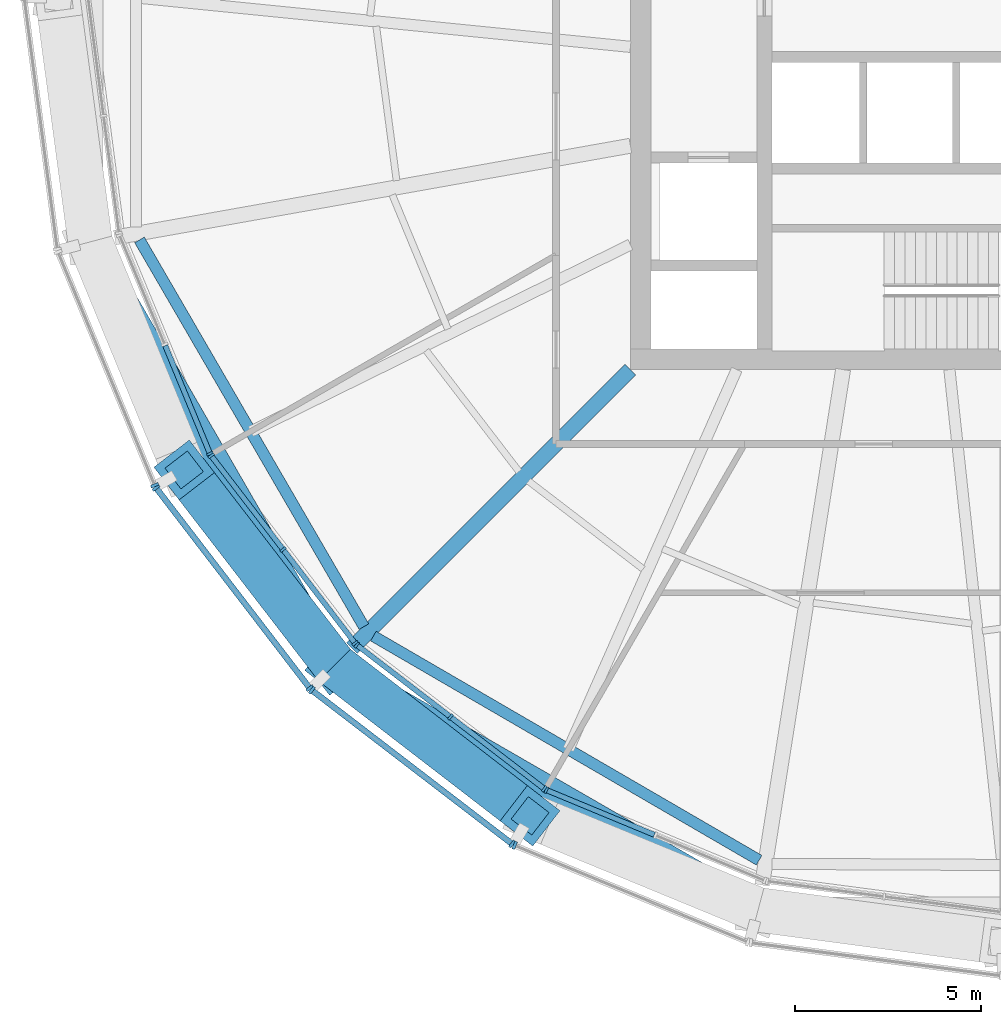
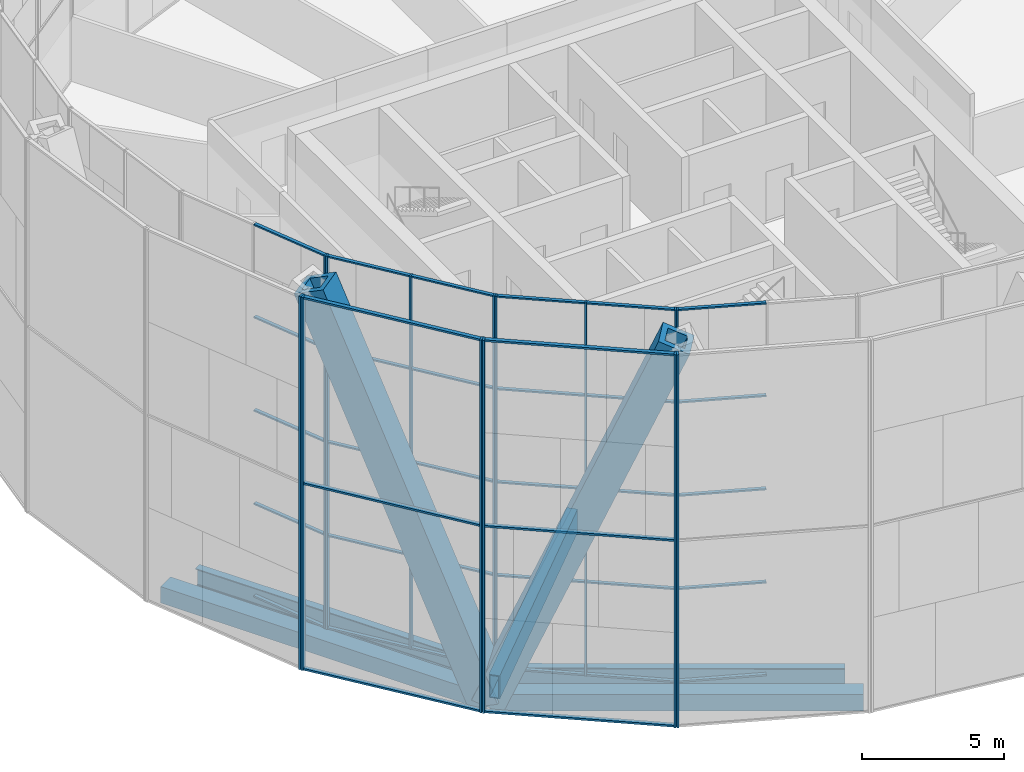
# One storey, part 1 of 30: 52 members, 5 beams, 8 elements without a shape of their own.
"""IFC4 building model written with IfcOpenShell, lengths in metres."""

from ifc_helpers import new_model, si_unit, direction, frame, origin, origin_2d, place, context, subcontext, project, spatial, rectangle, hollow_rectangle, i_section, extrude, material, material_profile, profile_set, type_object, element, aggregate, save


model = new_model("IFC4")

# Units and contexts
model_context = context("Model", 3, precision=1e-05, world=origin(), true_north=direction((0.0, 1.0)))
body_context = subcontext(model_context, "Body", "Model", "MODEL_VIEW")
ifc_project = project(units=[si_unit("LENGTHUNIT", "METRE"), si_unit("AREAUNIT", "SQUARE_METRE"), si_unit("VOLUMEUNIT", "CUBIC_METRE"), si_unit("PLANEANGLEUNIT", "RADIAN"), si_unit("MASSUNIT", "GRAM", prefix="KILO")], contexts=[model_context])

# Site, building, storey
site_placement = place(None, origin())
site = spatial("IfcSite", under=ifc_project, at=site_placement, CompositionType="ELEMENT")
building_placement = place(site_placement, origin())
building = spatial("IfcBuilding", under=site, at=building_placement, Name="Golbaran Civic Tower", CompositionType="ELEMENT")
storey_placement = place(building_placement, frame((0.0, 0.0, 102.0)))
storey = spatial("IfcBuildingStorey", under=building, at=storey_placement, Name="L24", CompositionType="ELEMENT", Elevation=102.0)

# Members
ifc_material_1 = material(Name="Steel S355", Category="steel")
ifc_material_profile_1 = material_profile(ifc_material_1, hollow_rectangle(XDim=1.199951171875, YDim=1.199951171875, WallThickness=0.219970703125, at=origin_2d()), Name="BOX 1200x1200x220")
ifc_profile_set_1 = profile_set([ifc_material_profile_1], Name="Steel S355")
member_type_1 = type_object("IfcMemberType", Name="DIAGRID DIAGONAL BOX 1200x1200x220", PredefinedType="BRACE", material=ifc_profile_set_1)
for number, where, z_axis, x_axis, name in (
    (1, (-17.947021484375, -17.947021484375, -0.7099609375), (0.303176942092, -0.233507991668, 0.923881897003), (0.61019489003, 0.792251346595, 0.0), "Diagonal D05-07R L24-L28"),
    (2, (-17.947021484375, -17.947021484375, -0.7099609375), (-0.233507991668, 0.303176942092, 0.923881897003), (-0.792251346595, -0.61019489003, 0.0), "Diagonal D05-07L L24-L28"),
):
    element("IfcMember", number, at=place(storey_placement, frame(where, z_axis=z_axis, x_axis=x_axis)), inside=storey, type_object=member_type_1, Name=name, PredefinedType="BRACE", context=body_context, shape_type="SweptSolid", body=[
        extrude(hollow_rectangle(XDim=1.199951171875, YDim=1.199951171875, WallThickness=0.219970703125, at=origin_2d()), origin(), (0.0, 0.0, 1.0), 17.318115234375),
    ])

# Beams
ifc_material_profile_2 = material_profile(ifc_material_1, hollow_rectangle(XDim=0.699951171875, YDim=0.699951171875, WallThickness=0.080078125, at=origin_2d()), Name="BOX 700x700x80")
ifc_profile_set_2 = profile_set([ifc_material_profile_2], Name="Steel S355")
beam_type_1 = type_object("IfcBeamType", Name="DIAGRID RING TIE BOX 700x700x80", PredefinedType="BEAM", material=ifc_profile_set_2)
for number, where, z_axis, x_axis, name in (
    (3, (-24.51611328125, -6.569091796875, -0.7099609375), (0.500002342169, -0.866024051528, 0.0), (0.866024051528, 0.500002342169, 0.0), "Ring tie 195.00 L24"),
    (4, (-17.947021484375, -17.947021484375, -0.7099609375), (0.866024051528, -0.500002342169, 0.0), (0.500002342169, 0.866024051528, 0.0), "Ring tie 225.00 L24"),
):
    element("IfcBeam", number, at=place(storey_placement, frame(where, z_axis=z_axis, x_axis=x_axis)), inside=storey, type_object=beam_type_1, Name=name, PredefinedType="BEAM", context=body_context, shape_type="SweptSolid", body=[
        extrude(hollow_rectangle(XDim=0.699951171875, YDim=0.699951171875, WallThickness=0.080078125, at=origin_2d()), origin(), (0.0, 0.0, 1.0), 13.13818359375),
    ])
ifc_material_profile_3 = material_profile(ifc_material_1, i_section(OverallWidth=0.300048828125, OverallDepth=0.800048828125, WebThickness=0.017578125, FlangeThickness=0.032958984375, FilletRadius=0.030029296875, at=origin_2d()), Name="HEB 800")
ifc_profile_set_3 = profile_set([ifc_material_profile_3], Name="Steel S355")
beam_type_2 = type_object("IfcBeamType", Name="EDGE BEAM HEB 800", PredefinedType="BEAM", material=ifc_profile_set_3)
beam_1_placement = place(storey_placement, frame((-23.191162109375, -6.51611328125, -0.60009765625), z_axis=(0.50190998271, -0.86491986291, 0.0), x_axis=(0.86491986291, 0.50190998271, 0.0)))
element("IfcBeam", 5, at=beam_1_placement, inside=storey, type_object=beam_type_2, Name="Edge beam 195.00 L24", PredefinedType="BEAM", context=body_context, shape_type="SweptSolid", body=[
    extrude(i_section(OverallWidth=0.300048828125, OverallDepth=0.800048828125, WebThickness=0.017578125, FlangeThickness=0.032958984375, FilletRadius=0.030029296875, at=origin_2d()), origin(), (0.0, 0.0, 1.0), 12.013671875),
])
beam_2_placement = place(storey_placement, frame((-16.906982421875, -17.16162109375, -0.60009765625), z_axis=(0.864655119007, -0.502365927561, 0.0), x_axis=(0.502365927561, 0.864655119007, 0.0)))
element("IfcBeam", 6, at=beam_2_placement, inside=storey, type_object=beam_type_2, Name="Edge beam 225.00 L24", PredefinedType="BEAM", context=body_context, shape_type="SweptSolid", body=[
    extrude(i_section(OverallWidth=0.300048828125, OverallDepth=0.800048828125, WebThickness=0.017578125, FlangeThickness=0.032958984375, FilletRadius=0.030029296875, at=origin_2d()), origin(), (0.0, 0.0, 1.0), 11.98779296875),
])

# Curtain wall, member
ifc_material_2 = material(Name="Aluminium and glass", Category="aluminium")
curtain_wall_type_1 = type_object("IfcCurtainWallType", Name="INNER SKIN CURTAIN WALL", PredefinedType="NOTDEFINED", material=ifc_material_2)
curtain_wall_1_placement = place(storey_placement, origin())
curtain_wall_1 = element("IfcCurtainWall", 7, at=curtain_wall_1_placement, inside=storey, type_object=curtain_wall_type_1, Name="Inner skin L24 facet 14 CW1", ObjectType="INNER SKIN", PredefinedType="USERDEFINED")
ifc_material_3 = material(Name="Aluminium", Category="aluminium")
ifc_material_profile_4 = material_profile(ifc_material_3, rectangle(XDim=0.179931640625, YDim=0.06494140625, at=origin_2d()), Name="INNER SKIN CURTAIN WALL MULLION")
ifc_profile_set_4 = profile_set([ifc_material_profile_4], Name="Aluminium")
member_type_2 = type_object("IfcMemberType", Name="INNER SKIN CURTAIN WALL MULLION", PredefinedType="MULLION", material=ifc_profile_set_4)
member_1_placement = place(storey_placement, frame((-21.297607421875, -12.259033203125, 0.0), z_axis=(0.0, 0.0, 1.0), x_axis=(0.923879532465, 0.382683432478, 0.0)))
member_1 = element("IfcMember", 8, at=member_1_placement, type_object=member_type_2, Name="CW1 mullion 3", PredefinedType="MULLION", context=body_context, shape_type="SweptSolid", body=[
    extrude(rectangle(XDim=0.179931640625, YDim=0.06494140625, at=origin_2d()), origin(), (0.0, 0.0, 1.0), 16.0),
])

# Curtain wall, members
curtain_wall_2_placement = place(storey_placement, origin())
curtain_wall_2 = element("IfcCurtainWall", 9, at=curtain_wall_2_placement, inside=storey, type_object=curtain_wall_type_1, Name="Inner skin L24 facet 15 CW1", ObjectType="INNER SKIN", PredefinedType="USERDEFINED")
member_2_placement = place(storey_placement, frame((-21.265380859375, -12.314697265625, 0.0), z_axis=(0.0, 0.0, 1.0), x_axis=(0.793353340302, 0.608761428995, 0.0)))
member_2 = element("IfcMember", 10, at=member_2_placement, type_object=member_type_2, Name="CW1 mullion 1", PredefinedType="MULLION", context=body_context, shape_type="SweptSolid", body=[
    extrude(rectangle(XDim=0.179931640625, YDim=0.06494140625, at=origin_2d()), origin(), (0.0, 0.0, 1.0), 16.0),
])
member_3_placement = place(storey_placement, frame((-19.332275390625, -14.834228515625, 0.0), z_axis=(0.0, 0.0, 1.0), x_axis=(0.793353340302, 0.608761428995, 0.0)))
member_3 = element("IfcMember", 11, at=member_3_placement, type_object=member_type_2, Name="CW1 mullion 2", PredefinedType="MULLION", context=body_context, shape_type="SweptSolid", body=[
    extrude(rectangle(XDim=0.179931640625, YDim=0.06494140625, at=origin_2d()), origin(), (0.0, 0.0, 1.0), 16.0),
])
member_4_placement = place(storey_placement, frame((-17.399169921875, -17.353515625, 0.0), z_axis=(0.0, 0.0, 1.0), x_axis=(0.793353340302, 0.608761428995, 0.0)))
member_4 = element("IfcMember", 12, at=member_4_placement, type_object=member_type_2, Name="CW1 mullion 3", PredefinedType="MULLION", context=body_context, shape_type="SweptSolid", body=[
    extrude(rectangle(XDim=0.179931640625, YDim=0.06494140625, at=origin_2d()), origin(), (0.0, 0.0, 1.0), 16.0),
])

curtain_wall_3_placement = place(storey_placement, origin())
curtain_wall_3 = element("IfcCurtainWall", 13, at=curtain_wall_3_placement, inside=storey, type_object=curtain_wall_type_1, Name="Inner skin L24 facet 16 CW1", ObjectType="INNER SKIN", PredefinedType="USERDEFINED")
member_5_placement = place(storey_placement, frame((-17.353515625, -17.399169921875, 0.0), z_axis=(0.0, 0.0, 1.0), x_axis=(0.608761428995, 0.793353340302, 0.0)))
member_5 = element("IfcMember", 14, at=member_5_placement, type_object=member_type_2, Name="CW1 mullion 1", PredefinedType="MULLION", context=body_context, shape_type="SweptSolid", body=[
    extrude(rectangle(XDim=0.179931640625, YDim=0.06494140625, at=origin_2d()), origin(), (0.0, 0.0, 1.0), 16.0),
])
member_6_placement = place(storey_placement, frame((-14.834228515625, -19.332275390625, 0.0), z_axis=(0.0, 0.0, 1.0), x_axis=(0.608761428995, 0.793353340302, 0.0)))
member_6 = element("IfcMember", 15, at=member_6_placement, type_object=member_type_2, Name="CW1 mullion 2", PredefinedType="MULLION", context=body_context, shape_type="SweptSolid", body=[
    extrude(rectangle(XDim=0.179931640625, YDim=0.06494140625, at=origin_2d()), origin(), (0.0, 0.0, 1.0), 16.0),
])
member_7_placement = place(storey_placement, frame((-12.314697265625, -21.265380859375, 0.0), z_axis=(0.0, 0.0, 1.0), x_axis=(0.608761428995, 0.793353340302, 0.0)))
member_7 = element("IfcMember", 16, at=member_7_placement, type_object=member_type_2, Name="CW1 mullion 3", PredefinedType="MULLION", context=body_context, shape_type="SweptSolid", body=[
    extrude(rectangle(XDim=0.179931640625, YDim=0.06494140625, at=origin_2d()), origin(), (0.0, 0.0, 1.0), 16.0),
])

# Curtain wall, member
curtain_wall_4_placement = place(storey_placement, origin())
curtain_wall_4 = element("IfcCurtainWall", 17, at=curtain_wall_4_placement, inside=storey, type_object=curtain_wall_type_1, Name="Inner skin L24 facet 17 CW1", ObjectType="INNER SKIN", PredefinedType="USERDEFINED")
member_8_placement = place(storey_placement, frame((-12.259033203125, -21.297607421875, 0.0), z_axis=(0.0, 0.0, 1.0), x_axis=(0.382683432478, 0.923879532465, 0.0)))
member_8 = element("IfcMember", 18, at=member_8_placement, type_object=member_type_2, Name="CW1 mullion 1", PredefinedType="MULLION", context=body_context, shape_type="SweptSolid", body=[
    extrude(rectangle(XDim=0.179931640625, YDim=0.06494140625, at=origin_2d()), origin(), (0.0, 0.0, 1.0), 16.0),
])

# Member
ifc_material_profile_5 = material_profile(ifc_material_3, rectangle(XDim=0.139892578125, YDim=0.06494140625, at=origin_2d()), Name="INNER SKIN CURTAIN WALL TRANSOM")
ifc_profile_set_5 = profile_set([ifc_material_profile_5], Name="Aluminium")
member_type_3 = type_object("IfcMemberType", Name="INNER SKIN CURTAIN WALL TRANSOM", PredefinedType="USERDEFINED", material=ifc_profile_set_5)
member_9_placement = place(storey_placement, frame((-22.50048828125, -9.355224609375, 0.032470703125), z_axis=(0.382703004748, -0.923871425122, 0.0), x_axis=(0.923871425122, 0.382703004748, 0.0)))
member_9 = element("IfcMember", 19, at=member_9_placement, type_object=member_type_3, Name="CW1 transom 2.1", ObjectType="TRANSOM", PredefinedType="USERDEFINED", context=body_context, shape_type="SweptSolid", body=[
    extrude(rectangle(XDim=0.139892578125, YDim=0.06494140625, at=origin_2d()), origin(), (0.0, 0.0, 1.0), 3.110595703125),
])

member_10_placement = place(storey_placement, frame((-22.50048828125, -9.355224609375, 4.0), z_axis=(0.382703004748, -0.923871425122, 0.0), x_axis=(0.923871425122, 0.382703004748, 0.0)))
member_10 = element("IfcMember", 20, at=member_10_placement, type_object=member_type_3, Name="CW1 transom 2.2", ObjectType="TRANSOM", PredefinedType="USERDEFINED", context=body_context, shape_type="SweptSolid", body=[
    extrude(rectangle(XDim=0.139892578125, YDim=0.06494140625, at=origin_2d()), origin(), (0.0, 0.0, 1.0), 3.110595703125),
])

member_11_placement = place(storey_placement, frame((-22.50048828125, -9.355224609375, 8.0), z_axis=(0.382703004748, -0.923871425122, 0.0), x_axis=(0.923871425122, 0.382703004748, 0.0)))
member_11 = element("IfcMember", 21, at=member_11_placement, type_object=member_type_3, Name="CW1 transom 2.3", ObjectType="TRANSOM", PredefinedType="USERDEFINED", context=body_context, shape_type="SweptSolid", body=[
    extrude(rectangle(XDim=0.139892578125, YDim=0.06494140625, at=origin_2d()), origin(), (0.0, 0.0, 1.0), 3.110595703125),
])

member_12_placement = place(storey_placement, frame((-22.50048828125, -9.355224609375, 12.0), z_axis=(0.382703004748, -0.923871425122, 0.0), x_axis=(0.923871425122, 0.382703004748, 0.0)))
member_12 = element("IfcMember", 22, at=member_12_placement, type_object=member_type_3, Name="CW1 transom 2.4", ObjectType="TRANSOM", PredefinedType="USERDEFINED", context=body_context, shape_type="SweptSolid", body=[
    extrude(rectangle(XDim=0.139892578125, YDim=0.06494140625, at=origin_2d()), origin(), (0.0, 0.0, 1.0), 3.110595703125),
])

member_13_placement = place(storey_placement, frame((-22.50048828125, -9.355224609375, 15.967529296875), z_axis=(0.382703004748, -0.923871425122, 0.0), x_axis=(0.923871425122, 0.382703004748, 0.0)))
member_13 = element("IfcMember", 23, at=member_13_placement, type_object=member_type_3, Name="CW1 transom 2.5", ObjectType="TRANSOM", PredefinedType="USERDEFINED", context=body_context, shape_type="SweptSolid", body=[
    extrude(rectangle(XDim=0.139892578125, YDim=0.06494140625, at=origin_2d()), origin(), (0.0, 0.0, 1.0), 3.110595703125),
])

aggregate(curtain_wall_1, [member_1, member_9, member_10, member_11, member_12, member_13])

member_14_placement = place(storey_placement, frame((-21.24560546875, -12.340576171875, 0.032470703125), z_axis=(0.608754453805, -0.793358692504, 0.0), x_axis=(0.793358692504, 0.608754453805, 0.0)))
member_14 = element("IfcMember", 24, at=member_14_placement, type_object=member_type_3, Name="CW1 transom 1.1", ObjectType="TRANSOM", PredefinedType="USERDEFINED", context=body_context, shape_type="SweptSolid", body=[
    extrude(rectangle(XDim=0.139892578125, YDim=0.06494140625, at=origin_2d()), origin(), (0.0, 0.0, 1.0), 3.110595703125),
])

member_15_placement = place(storey_placement, frame((-21.24560546875, -12.340576171875, 4.0), z_axis=(0.608754453805, -0.793358692504, 0.0), x_axis=(0.793358692504, 0.608754453805, 0.0)))
member_15 = element("IfcMember", 25, at=member_15_placement, type_object=member_type_3, Name="CW1 transom 1.2", ObjectType="TRANSOM", PredefinedType="USERDEFINED", context=body_context, shape_type="SweptSolid", body=[
    extrude(rectangle(XDim=0.139892578125, YDim=0.06494140625, at=origin_2d()), origin(), (0.0, 0.0, 1.0), 3.110595703125),
])

member_16_placement = place(storey_placement, frame((-21.24560546875, -12.340576171875, 8.0), z_axis=(0.608754453805, -0.793358692504, 0.0), x_axis=(0.793358692504, 0.608754453805, 0.0)))
member_16 = element("IfcMember", 26, at=member_16_placement, type_object=member_type_3, Name="CW1 transom 1.3", ObjectType="TRANSOM", PredefinedType="USERDEFINED", context=body_context, shape_type="SweptSolid", body=[
    extrude(rectangle(XDim=0.139892578125, YDim=0.06494140625, at=origin_2d()), origin(), (0.0, 0.0, 1.0), 3.110595703125),
])

member_17_placement = place(storey_placement, frame((-21.24560546875, -12.340576171875, 12.0), z_axis=(0.608754453805, -0.793358692504, 0.0), x_axis=(0.793358692504, 0.608754453805, 0.0)))
member_17 = element("IfcMember", 27, at=member_17_placement, type_object=member_type_3, Name="CW1 transom 1.4", ObjectType="TRANSOM", PredefinedType="USERDEFINED", context=body_context, shape_type="SweptSolid", body=[
    extrude(rectangle(XDim=0.139892578125, YDim=0.06494140625, at=origin_2d()), origin(), (0.0, 0.0, 1.0), 3.110595703125),
])

member_18_placement = place(storey_placement, frame((-21.24560546875, -12.340576171875, 15.967529296875), z_axis=(0.608754453805, -0.793358692504, 0.0), x_axis=(0.793358692504, 0.608754453805, 0.0)))
member_18 = element("IfcMember", 28, at=member_18_placement, type_object=member_type_3, Name="CW1 transom 1.5", ObjectType="TRANSOM", PredefinedType="USERDEFINED", context=body_context, shape_type="SweptSolid", body=[
    extrude(rectangle(XDim=0.139892578125, YDim=0.06494140625, at=origin_2d()), origin(), (0.0, 0.0, 1.0), 3.110595703125),
])

member_19_placement = place(storey_placement, frame((-19.3125, -14.85986328125, 0.032470703125), z_axis=(0.608754453805, -0.793358692504, 0.0), x_axis=(0.793358692504, 0.608754453805, 0.0)))
member_19 = element("IfcMember", 29, at=member_19_placement, type_object=member_type_3, Name="CW1 transom 2.1", ObjectType="TRANSOM", PredefinedType="USERDEFINED", context=body_context, shape_type="SweptSolid", body=[
    extrude(rectangle(XDim=0.139892578125, YDim=0.06494140625, at=origin_2d()), origin(), (0.0, 0.0, 1.0), 3.110595703125),
])

member_20_placement = place(storey_placement, frame((-19.3125, -14.85986328125, 4.0), z_axis=(0.608754453805, -0.793358692504, 0.0), x_axis=(0.793358692504, 0.608754453805, 0.0)))
member_20 = element("IfcMember", 30, at=member_20_placement, type_object=member_type_3, Name="CW1 transom 2.2", ObjectType="TRANSOM", PredefinedType="USERDEFINED", context=body_context, shape_type="SweptSolid", body=[
    extrude(rectangle(XDim=0.139892578125, YDim=0.06494140625, at=origin_2d()), origin(), (0.0, 0.0, 1.0), 3.110595703125),
])

member_21_placement = place(storey_placement, frame((-19.3125, -14.85986328125, 8.0), z_axis=(0.608754453805, -0.793358692504, 0.0), x_axis=(0.793358692504, 0.608754453805, 0.0)))
member_21 = element("IfcMember", 31, at=member_21_placement, type_object=member_type_3, Name="CW1 transom 2.3", ObjectType="TRANSOM", PredefinedType="USERDEFINED", context=body_context, shape_type="SweptSolid", body=[
    extrude(rectangle(XDim=0.139892578125, YDim=0.06494140625, at=origin_2d()), origin(), (0.0, 0.0, 1.0), 3.110595703125),
])

member_22_placement = place(storey_placement, frame((-19.3125, -14.85986328125, 12.0), z_axis=(0.608754453805, -0.793358692504, 0.0), x_axis=(0.793358692504, 0.608754453805, 0.0)))
member_22 = element("IfcMember", 32, at=member_22_placement, type_object=member_type_3, Name="CW1 transom 2.4", ObjectType="TRANSOM", PredefinedType="USERDEFINED", context=body_context, shape_type="SweptSolid", body=[
    extrude(rectangle(XDim=0.139892578125, YDim=0.06494140625, at=origin_2d()), origin(), (0.0, 0.0, 1.0), 3.110595703125),
])

member_23_placement = place(storey_placement, frame((-19.3125, -14.85986328125, 15.967529296875), z_axis=(0.608754453805, -0.793358692504, 0.0), x_axis=(0.793358692504, 0.608754453805, 0.0)))
member_23 = element("IfcMember", 33, at=member_23_placement, type_object=member_type_3, Name="CW1 transom 2.5", ObjectType="TRANSOM", PredefinedType="USERDEFINED", context=body_context, shape_type="SweptSolid", body=[
    extrude(rectangle(XDim=0.139892578125, YDim=0.06494140625, at=origin_2d()), origin(), (0.0, 0.0, 1.0), 3.110595703125),
])

aggregate(curtain_wall_2, [member_2, member_3, member_4, member_14, member_15, member_16, member_17, member_18, member_19, member_20, member_21, member_22, member_23])

member_24_placement = place(storey_placement, frame((-17.32763671875, -17.4189453125, 0.032470703125), z_axis=(0.793358692504, -0.608754453805, 0.0), x_axis=(0.608754453805, 0.793358692504, 0.0)))
member_24 = element("IfcMember", 34, at=member_24_placement, type_object=member_type_3, Name="CW1 transom 1.1", ObjectType="TRANSOM", PredefinedType="USERDEFINED", context=body_context, shape_type="SweptSolid", body=[
    extrude(rectangle(XDim=0.139892578125, YDim=0.06494140625, at=origin_2d()), origin(), (0.0, 0.0, 1.0), 3.110595703125),
])

member_25_placement = place(storey_placement, frame((-17.32763671875, -17.4189453125, 4.0), z_axis=(0.793358692504, -0.608754453805, 0.0), x_axis=(0.608754453805, 0.793358692504, 0.0)))
member_25 = element("IfcMember", 35, at=member_25_placement, type_object=member_type_3, Name="CW1 transom 1.2", ObjectType="TRANSOM", PredefinedType="USERDEFINED", context=body_context, shape_type="SweptSolid", body=[
    extrude(rectangle(XDim=0.139892578125, YDim=0.06494140625, at=origin_2d()), origin(), (0.0, 0.0, 1.0), 3.110595703125),
])

member_26_placement = place(storey_placement, frame((-17.32763671875, -17.4189453125, 8.0), z_axis=(0.793358692504, -0.608754453805, 0.0), x_axis=(0.608754453805, 0.793358692504, 0.0)))
member_26 = element("IfcMember", 36, at=member_26_placement, type_object=member_type_3, Name="CW1 transom 1.3", ObjectType="TRANSOM", PredefinedType="USERDEFINED", context=body_context, shape_type="SweptSolid", body=[
    extrude(rectangle(XDim=0.139892578125, YDim=0.06494140625, at=origin_2d()), origin(), (0.0, 0.0, 1.0), 3.110595703125),
])

member_27_placement = place(storey_placement, frame((-17.32763671875, -17.4189453125, 12.0), z_axis=(0.793358692504, -0.608754453805, 0.0), x_axis=(0.608754453805, 0.793358692504, 0.0)))
member_27 = element("IfcMember", 37, at=member_27_placement, type_object=member_type_3, Name="CW1 transom 1.4", ObjectType="TRANSOM", PredefinedType="USERDEFINED", context=body_context, shape_type="SweptSolid", body=[
    extrude(rectangle(XDim=0.139892578125, YDim=0.06494140625, at=origin_2d()), origin(), (0.0, 0.0, 1.0), 3.110595703125),
])

member_28_placement = place(storey_placement, frame((-17.32763671875, -17.4189453125, 15.967529296875), z_axis=(0.793358692504, -0.608754453805, 0.0), x_axis=(0.608754453805, 0.793358692504, 0.0)))
member_28 = element("IfcMember", 38, at=member_28_placement, type_object=member_type_3, Name="CW1 transom 1.5", ObjectType="TRANSOM", PredefinedType="USERDEFINED", context=body_context, shape_type="SweptSolid", body=[
    extrude(rectangle(XDim=0.139892578125, YDim=0.06494140625, at=origin_2d()), origin(), (0.0, 0.0, 1.0), 3.110595703125),
])

member_29_placement = place(storey_placement, frame((-14.808349609375, -19.35205078125, 0.032470703125), z_axis=(0.793358692504, -0.608754453805, 0.0), x_axis=(0.608754453805, 0.793358692504, 0.0)))
member_29 = element("IfcMember", 39, at=member_29_placement, type_object=member_type_3, Name="CW1 transom 2.1", ObjectType="TRANSOM", PredefinedType="USERDEFINED", context=body_context, shape_type="SweptSolid", body=[
    extrude(rectangle(XDim=0.139892578125, YDim=0.06494140625, at=origin_2d()), origin(), (0.0, 0.0, 1.0), 3.110595703125),
])

member_30_placement = place(storey_placement, frame((-14.808349609375, -19.35205078125, 4.0), z_axis=(0.793358692504, -0.608754453805, 0.0), x_axis=(0.608754453805, 0.793358692504, 0.0)))
member_30 = element("IfcMember", 40, at=member_30_placement, type_object=member_type_3, Name="CW1 transom 2.2", ObjectType="TRANSOM", PredefinedType="USERDEFINED", context=body_context, shape_type="SweptSolid", body=[
    extrude(rectangle(XDim=0.139892578125, YDim=0.06494140625, at=origin_2d()), origin(), (0.0, 0.0, 1.0), 3.110595703125),
])

member_31_placement = place(storey_placement, frame((-14.808349609375, -19.35205078125, 8.0), z_axis=(0.793358692504, -0.608754453805, 0.0), x_axis=(0.608754453805, 0.793358692504, 0.0)))
member_31 = element("IfcMember", 41, at=member_31_placement, type_object=member_type_3, Name="CW1 transom 2.3", ObjectType="TRANSOM", PredefinedType="USERDEFINED", context=body_context, shape_type="SweptSolid", body=[
    extrude(rectangle(XDim=0.139892578125, YDim=0.06494140625, at=origin_2d()), origin(), (0.0, 0.0, 1.0), 3.110595703125),
])

member_32_placement = place(storey_placement, frame((-14.808349609375, -19.35205078125, 12.0), z_axis=(0.793358692504, -0.608754453805, 0.0), x_axis=(0.608754453805, 0.793358692504, 0.0)))
member_32 = element("IfcMember", 42, at=member_32_placement, type_object=member_type_3, Name="CW1 transom 2.4", ObjectType="TRANSOM", PredefinedType="USERDEFINED", context=body_context, shape_type="SweptSolid", body=[
    extrude(rectangle(XDim=0.139892578125, YDim=0.06494140625, at=origin_2d()), origin(), (0.0, 0.0, 1.0), 3.110595703125),
])

member_33_placement = place(storey_placement, frame((-14.808349609375, -19.35205078125, 15.967529296875), z_axis=(0.793358692504, -0.608754453805, 0.0), x_axis=(0.608754453805, 0.793358692504, 0.0)))
member_33 = element("IfcMember", 43, at=member_33_placement, type_object=member_type_3, Name="CW1 transom 2.5", ObjectType="TRANSOM", PredefinedType="USERDEFINED", context=body_context, shape_type="SweptSolid", body=[
    extrude(rectangle(XDim=0.139892578125, YDim=0.06494140625, at=origin_2d()), origin(), (0.0, 0.0, 1.0), 3.110595703125),
])

aggregate(curtain_wall_3, [member_5, member_6, member_7, member_24, member_25, member_26, member_27, member_28, member_29, member_30, member_31, member_32, member_33])

member_34_placement = place(storey_placement, frame((-12.22900390625, -21.31005859375, 0.032470703125), z_axis=(0.923871425122, -0.382703004748, 0.0), x_axis=(0.382703004748, 0.923871425122, 0.0)))
member_34 = element("IfcMember", 44, at=member_34_placement, type_object=member_type_3, Name="CW1 transom 1.1", ObjectType="TRANSOM", PredefinedType="USERDEFINED", context=body_context, shape_type="SweptSolid", body=[
    extrude(rectangle(XDim=0.139892578125, YDim=0.06494140625, at=origin_2d()), origin(), (0.0, 0.0, 1.0), 3.110595703125),
])

member_35_placement = place(storey_placement, frame((-12.22900390625, -21.31005859375, 4.0), z_axis=(0.923871425122, -0.382703004748, 0.0), x_axis=(0.382703004748, 0.923871425122, 0.0)))
member_35 = element("IfcMember", 45, at=member_35_placement, type_object=member_type_3, Name="CW1 transom 1.2", ObjectType="TRANSOM", PredefinedType="USERDEFINED", context=body_context, shape_type="SweptSolid", body=[
    extrude(rectangle(XDim=0.139892578125, YDim=0.06494140625, at=origin_2d()), origin(), (0.0, 0.0, 1.0), 3.110595703125),
])

member_36_placement = place(storey_placement, frame((-12.22900390625, -21.31005859375, 8.0), z_axis=(0.923871425122, -0.382703004748, 0.0), x_axis=(0.382703004748, 0.923871425122, 0.0)))
member_36 = element("IfcMember", 46, at=member_36_placement, type_object=member_type_3, Name="CW1 transom 1.3", ObjectType="TRANSOM", PredefinedType="USERDEFINED", context=body_context, shape_type="SweptSolid", body=[
    extrude(rectangle(XDim=0.139892578125, YDim=0.06494140625, at=origin_2d()), origin(), (0.0, 0.0, 1.0), 3.110595703125),
])

member_37_placement = place(storey_placement, frame((-12.22900390625, -21.31005859375, 12.0), z_axis=(0.923871425122, -0.382703004748, 0.0), x_axis=(0.382703004748, 0.923871425122, 0.0)))
member_37 = element("IfcMember", 47, at=member_37_placement, type_object=member_type_3, Name="CW1 transom 1.4", ObjectType="TRANSOM", PredefinedType="USERDEFINED", context=body_context, shape_type="SweptSolid", body=[
    extrude(rectangle(XDim=0.139892578125, YDim=0.06494140625, at=origin_2d()), origin(), (0.0, 0.0, 1.0), 3.110595703125),
])

member_38_placement = place(storey_placement, frame((-12.22900390625, -21.31005859375, 15.967529296875), z_axis=(0.923871425122, -0.382703004748, 0.0), x_axis=(0.382703004748, 0.923871425122, 0.0)))
member_38 = element("IfcMember", 48, at=member_38_placement, type_object=member_type_3, Name="CW1 transom 1.5", ObjectType="TRANSOM", PredefinedType="USERDEFINED", context=body_context, shape_type="SweptSolid", body=[
    extrude(rectangle(XDim=0.139892578125, YDim=0.06494140625, at=origin_2d()), origin(), (0.0, 0.0, 1.0), 3.110595703125),
])

aggregate(curtain_wall_4, [member_8, member_34, member_35, member_36, member_37, member_38])

# Curtain wall, member
curtain_wall_type_2 = type_object("IfcCurtainWallType", Name="OUTER SKIN TERRACOTTA SCREEN", PredefinedType="NOTDEFINED", material=ifc_material_2)
curtain_wall_5_placement = place(storey_placement, origin())
curtain_wall_5 = element("IfcCurtainWall", 49, at=curtain_wall_5_placement, inside=storey, type_object=curtain_wall_type_2, Name="Outer skin L24 facet 14 CW3", ObjectType="OUTER SKIN", PredefinedType="USERDEFINED")
ifc_material_profile_6 = material_profile(ifc_material_3, rectangle(XDim=0.219970703125, YDim=0.080078125, at=origin_2d()), Name="OUTER SKIN TERRACOTTA SCREEN MULLION")
ifc_profile_set_6 = profile_set([ifc_material_profile_6], Name="Aluminium")
member_type_4 = type_object("IfcMemberType", Name="OUTER SKIN TERRACOTTA SCREEN MULLION", PredefinedType="MULLION", material=ifc_profile_set_6)
member_39_placement = place(storey_placement, frame((-22.78564453125, -13.109619140625, -0.7099609375), z_axis=(0.0, 0.0, 1.0), x_axis=(0.923879532505, 0.382683432381, 0.0)))
member_39 = element("IfcMember", 50, at=member_39_placement, type_object=member_type_4, Name="CW3 mullion 2", PredefinedType="MULLION", context=body_context, shape_type="SweptSolid", body=[
    extrude(rectangle(XDim=0.219970703125, YDim=0.080078125, at=origin_2d()), origin(), (0.0, 0.0, 1.0), 16.0),
])
aggregate(curtain_wall_5, [member_39])

# Curtain wall, members
curtain_wall_6_placement = place(storey_placement, origin())
curtain_wall_6 = element("IfcCurtainWall", 51, at=curtain_wall_6_placement, inside=storey, type_object=curtain_wall_type_2, Name="Outer skin L24 facet 15 CW3", ObjectType="OUTER SKIN", PredefinedType="USERDEFINED")
member_40_placement = place(storey_placement, frame((-22.74609375, -13.17822265625, -0.7099609375), z_axis=(0.0, 0.0, 1.0), x_axis=(0.793353340302, 0.608761428995, 0.0)))
member_40 = element("IfcMember", 52, at=member_40_placement, type_object=member_type_4, Name="CW3 mullion 1", PredefinedType="MULLION", context=body_context, shape_type="SweptSolid", body=[
    extrude(rectangle(XDim=0.219970703125, YDim=0.080078125, at=origin_2d()), origin(), (0.0, 0.0, 1.0), 16.0),
])
member_41_placement = place(storey_placement, frame((-18.6162109375, -18.560302734375, -0.7099609375), z_axis=(0.0, 0.0, 1.0), x_axis=(0.793353340302, 0.608761428995, 0.0)))
member_41 = element("IfcMember", 53, at=member_41_placement, type_object=member_type_4, Name="CW3 mullion 2", PredefinedType="MULLION", context=body_context, shape_type="SweptSolid", body=[
    extrude(rectangle(XDim=0.219970703125, YDim=0.080078125, at=origin_2d()), origin(), (0.0, 0.0, 1.0), 16.0),
])

curtain_wall_7_placement = place(storey_placement, origin())
curtain_wall_7 = element("IfcCurtainWall", 54, at=curtain_wall_7_placement, inside=storey, type_object=curtain_wall_type_2, Name="Outer skin L24 facet 16 CW3", ObjectType="OUTER SKIN", PredefinedType="USERDEFINED")
member_42_placement = place(storey_placement, frame((-18.560302734375, -18.6162109375, -0.7099609375), z_axis=(0.0, 0.0, 1.0), x_axis=(0.608761428995, 0.793353340302, 0.0)))
member_42 = element("IfcMember", 55, at=member_42_placement, type_object=member_type_4, Name="CW3 mullion 1", PredefinedType="MULLION", context=body_context, shape_type="SweptSolid", body=[
    extrude(rectangle(XDim=0.219970703125, YDim=0.080078125, at=origin_2d()), origin(), (0.0, 0.0, 1.0), 16.0),
])
member_43_placement = place(storey_placement, frame((-13.17822265625, -22.74609375, -0.7099609375), z_axis=(0.0, 0.0, 1.0), x_axis=(0.608761428995, 0.793353340302, 0.0)))
member_43 = element("IfcMember", 56, at=member_43_placement, type_object=member_type_4, Name="CW3 mullion 2", PredefinedType="MULLION", context=body_context, shape_type="SweptSolid", body=[
    extrude(rectangle(XDim=0.219970703125, YDim=0.080078125, at=origin_2d()), origin(), (0.0, 0.0, 1.0), 16.0),
])

# Curtain wall, member
curtain_wall_8_placement = place(storey_placement, origin())
curtain_wall_8 = element("IfcCurtainWall", 57, at=curtain_wall_8_placement, inside=storey, type_object=curtain_wall_type_2, Name="Outer skin L24 facet 17 CW3", ObjectType="OUTER SKIN", PredefinedType="USERDEFINED")
member_44_placement = place(storey_placement, frame((-13.109619140625, -22.78564453125, -0.7099609375), z_axis=(0.0, 0.0, 1.0), x_axis=(0.382683432381, 0.923879532505, 0.0)))
member_44 = element("IfcMember", 58, at=member_44_placement, type_object=member_type_4, Name="CW3 mullion 1", PredefinedType="MULLION", context=body_context, shape_type="SweptSolid", body=[
    extrude(rectangle(XDim=0.219970703125, YDim=0.080078125, at=origin_2d()), origin(), (0.0, 0.0, 1.0), 16.0),
])
aggregate(curtain_wall_8, [member_44])

# Member
ifc_material_profile_7 = material_profile(ifc_material_3, rectangle(XDim=0.159912109375, YDim=0.080078125, at=origin_2d()), Name="OUTER SKIN TERRACOTTA SCREEN TRANSOM")
ifc_profile_set_7 = profile_set([ifc_material_profile_7], Name="Aluminium")
member_type_5 = type_object("IfcMemberType", Name="OUTER SKIN TERRACOTTA SCREEN TRANSOM", PredefinedType="USERDEFINED", material=ifc_profile_set_7)
member_45_placement = place(storey_placement, frame((-22.7216796875, -13.2099609375, -0.669921875), z_axis=(0.608756422165, -0.793357182153, 0.0), x_axis=(0.793357182153, 0.608756422165, 0.0)))
member_45 = element("IfcMember", 59, at=member_45_placement, type_object=member_type_5, Name="CW3 transom 1.1", ObjectType="TRANSOM", PredefinedType="USERDEFINED", context=body_context, shape_type="SweptSolid", body=[
    extrude(rectangle(XDim=0.159912109375, YDim=0.080078125, at=origin_2d()), origin(), (0.0, 0.0, 1.0), 6.703857421875),
])

member_46_placement = place(storey_placement, frame((-22.7216796875, -13.2099609375, 7.2900390625), z_axis=(0.608756422165, -0.793357182153, 0.0), x_axis=(0.793357182153, 0.608756422165, 0.0)))
member_46 = element("IfcMember", 60, at=member_46_placement, type_object=member_type_5, Name="CW3 transom 1.2", ObjectType="TRANSOM", PredefinedType="USERDEFINED", context=body_context, shape_type="SweptSolid", body=[
    extrude(rectangle(XDim=0.159912109375, YDim=0.080078125, at=origin_2d()), origin(), (0.0, 0.0, 1.0), 6.703857421875),
])

member_47_placement = place(storey_placement, frame((-22.7216796875, -13.2099609375, 15.25), z_axis=(0.608756422165, -0.793357182153, 0.0), x_axis=(0.793357182153, 0.608756422165, 0.0)))
member_47 = element("IfcMember", 61, at=member_47_placement, type_object=member_type_5, Name="CW3 transom 1.3", ObjectType="TRANSOM", PredefinedType="USERDEFINED", context=body_context, shape_type="SweptSolid", body=[
    extrude(rectangle(XDim=0.159912109375, YDim=0.080078125, at=origin_2d()), origin(), (0.0, 0.0, 1.0), 6.703857421875),
])

aggregate(curtain_wall_6, [member_40, member_41, member_45, member_46, member_47])

member_48_placement = place(storey_placement, frame((-18.528564453125, -18.640625, -0.669921875), z_axis=(0.793357182153, -0.608756422165, 0.0), x_axis=(0.608756422165, 0.793357182153, 0.0)))
member_48 = element("IfcMember", 62, at=member_48_placement, type_object=member_type_5, Name="CW3 transom 1.1", ObjectType="TRANSOM", PredefinedType="USERDEFINED", context=body_context, shape_type="SweptSolid", body=[
    extrude(rectangle(XDim=0.159912109375, YDim=0.080078125, at=origin_2d()), origin(), (0.0, 0.0, 1.0), 6.703857421875),
])

member_49_placement = place(storey_placement, frame((-18.528564453125, -18.640625, 7.2900390625), z_axis=(0.793357182153, -0.608756422165, 0.0), x_axis=(0.608756422165, 0.793357182153, 0.0)))
member_49 = element("IfcMember", 63, at=member_49_placement, type_object=member_type_5, Name="CW3 transom 1.2", ObjectType="TRANSOM", PredefinedType="USERDEFINED", context=body_context, shape_type="SweptSolid", body=[
    extrude(rectangle(XDim=0.159912109375, YDim=0.080078125, at=origin_2d()), origin(), (0.0, 0.0, 1.0), 6.703857421875),
])

member_50_placement = place(storey_placement, frame((-18.528564453125, -18.640625, 15.25), z_axis=(0.793357182153, -0.608756422165, 0.0), x_axis=(0.608756422165, 0.793357182153, 0.0)))
member_50 = element("IfcMember", 64, at=member_50_placement, type_object=member_type_5, Name="CW3 transom 1.3", ObjectType="TRANSOM", PredefinedType="USERDEFINED", context=body_context, shape_type="SweptSolid", body=[
    extrude(rectangle(XDim=0.159912109375, YDim=0.080078125, at=origin_2d()), origin(), (0.0, 0.0, 1.0), 6.703857421875),
])

aggregate(curtain_wall_7, [member_42, member_43, member_48, member_49, member_50])

# Beam
ifc_material_profile_8 = material_profile(ifc_material_1, hollow_rectangle(XDim=0.39990234375, YDim=1.0, WallThickness=0.0400390625, at=origin_2d()), Name="BOX 1000x400x40")
ifc_profile_set_8 = profile_set([ifc_material_profile_8], Name="Steel S355")
beam_type_3 = type_object("IfcBeamType", Name="RADIAL FLOOR BEAM BOX 1000x400x40", PredefinedType="BEAM", material=ifc_profile_set_8)
beam_3_placement = place(storey_placement, frame((-10.0, -10.0, -0.7099609375), z_axis=(-0.707106781187, -0.707106781187, 0.0), x_axis=(0.707106781187, -0.707106781187, 0.0)))
element("IfcBeam", 65, at=beam_3_placement, inside=storey, type_object=beam_type_3, Name="Radial beam 225.00 L24", PredefinedType="BEAM", context=body_context, shape_type="SweptSolid", body=[
    extrude(hollow_rectangle(XDim=0.39990234375, YDim=1.0, WallThickness=0.0400390625, at=origin_2d()), origin(), (0.0, 0.0, 1.0), 10.580810546875),
])

save(model, "model.ifc")
